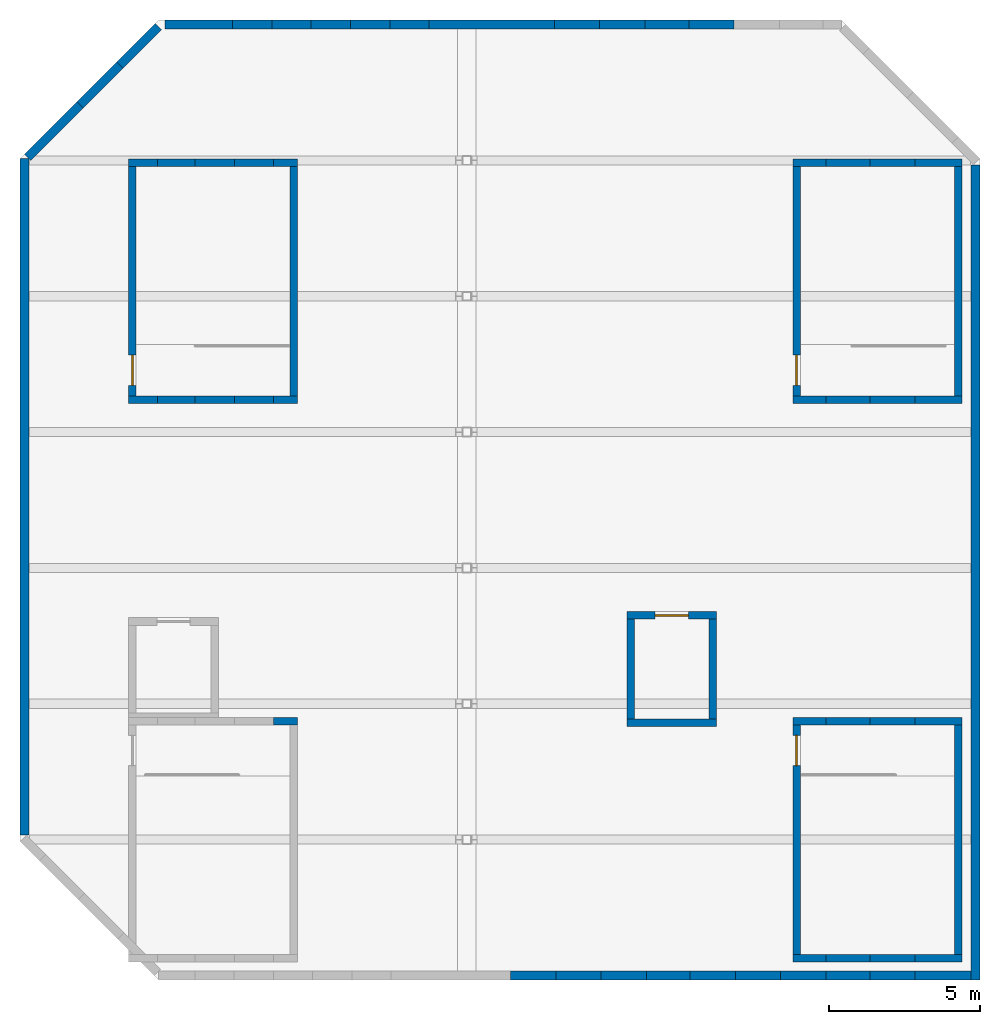
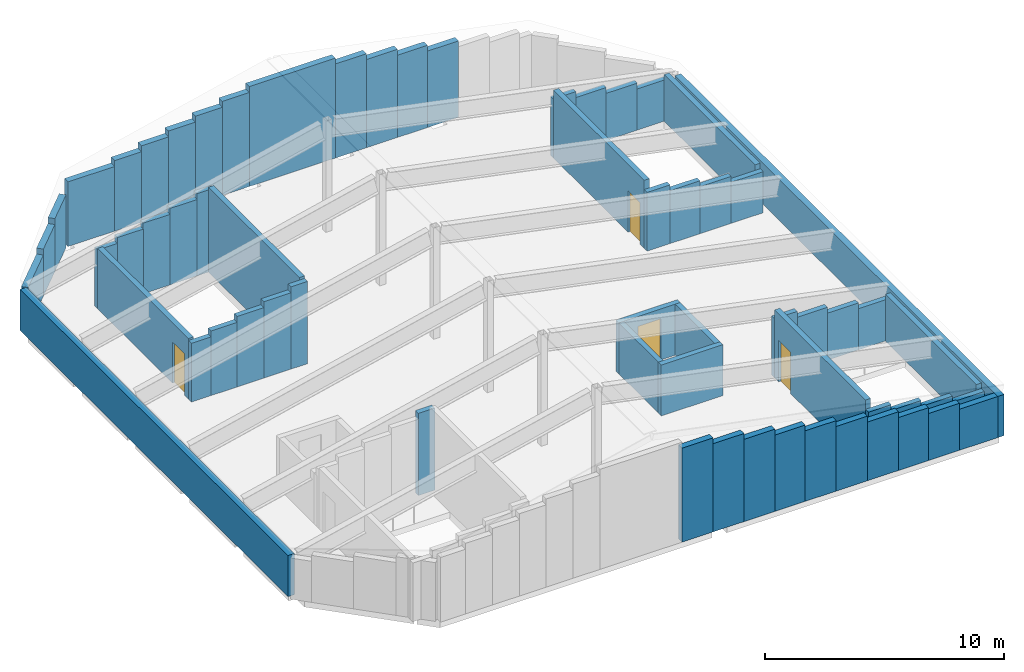
# One storey, part 2 of 4: 63 walls, 4 doors, 4 openings.
"""IFC4 building model written with IfcOpenShell, lengths in metres."""

from ifc_helpers import new_model, si_unit, direction, frame, frame_2d, origin, place, context, subcontext, project, spatial, rectangle, extrude, material, layer, layer_set, type_object, element, fill, save


model = new_model("IFC4")

# Units and contexts
model_context = context("Model", 3, precision=1e-05, world=origin(), true_north=direction((0.0, 1.0)))
body_context = subcontext(model_context, "Body", "Model", "MODEL_VIEW")
ifc_project = project(units=[si_unit("LENGTHUNIT", "METRE"), si_unit("AREAUNIT", "SQUARE_METRE"), si_unit("VOLUMEUNIT", "CUBIC_METRE"), si_unit("PLANEANGLEUNIT", "RADIAN"), si_unit("MASSUNIT", "GRAM", prefix="KILO")], contexts=[model_context])

# Site, building, storey
site_placement = place(None, origin())
site = spatial("IfcSite", under=ifc_project, at=site_placement, CompositionType="ELEMENT")
building_placement = place(site_placement, origin())
building = spatial("IfcBuilding", under=site, at=building_placement, Name="Corbel Stack Research Tower", CompositionType="ELEMENT")
storey_placement = place(building_placement, frame((0.0, 0.0, 329.800048828125)))
storey = spatial("IfcBuildingStorey", under=building, at=storey_placement, Name="RF", CompositionType="ELEMENT", Elevation=329.800048828125)

# Wall
ifc_material_1 = material(Name="Concrete C45/55", Category="concrete")
ifc_layer_1 = layer(ifc_material_1, 0.25)
ifc_layer_set_1 = layer_set([ifc_layer_1], Name="Concrete C45/55")
wall_type_1 = type_object("IfcWallType", Name="Lift housing wall 250 C45/55", PredefinedType="SOLIDWALL", material=ifc_layer_set_1)
wall_1_placement = place(storey_placement, frame((6.449951171875, -0.625, 0.0), z_axis=(0.0, 0.0, 1.0), x_axis=(1.0, 0.0, 0.0)))
element("IfcWall", 1, at=wall_1_placement, inside=storey, type_object=wall_type_1, Name="Lift FS2 housing wall S", PredefinedType="SOLIDWALL", context=body_context, shape_type="SweptSolid", body=[
    extrude(rectangle(XDim=2.97509765625, YDim=0.25, at=frame_2d((1.487548828125, 0.0))), origin(), (0.0, 0.0, 1.0), 2.599853515625),
])

# Wall, opening, door
wall_2_placement = place(storey_placement, frame((6.449951171875, 2.925048828125, 0.0), z_axis=(0.0, 0.0, 1.0), x_axis=(1.0, 0.0, 0.0)))
wall_2 = element("IfcWall", 2, at=wall_2_placement, inside=storey, type_object=wall_type_1, Name="Lift FS2 housing wall N", PredefinedType="SOLIDWALL", context=body_context, shape_type="SweptSolid", body=[
    extrude(rectangle(XDim=2.97509765625, YDim=0.25, at=frame_2d((1.487548828125, 0.0))), origin(), (0.0, 0.0, 1.0), 2.599853515625),
])
opening_1_placement = place(wall_2_placement, frame((0.9375, 0.0, 0.0)))
opening_1 = element("IfcOpeningElement", 3, at=opening_1_placement, cuts=wall_2, Name="Opening LD-FS2-RF", PredefinedType="OPENING", context=body_context, shape_type="SweptSolid", body=[
    extrude(rectangle(XDim=1.10009765625, YDim=2.10009765625, at=frame_2d((0.550048828125, 1.050048828125))), frame((0.0, 0.135009765625, 0.0), z_axis=(0.0, -1.0, 0.0), x_axis=(1.0, 0.0, 0.0)), (0.0, 0.0, 1.0), 0.27001953125),
])
ifc_material_2 = material(Name="Stainless steel landing door", Category="steel")
door_type_1 = type_object("IfcDoorType", Name="Lift landing door 1100 x 2100", OperationType="DOUBLE_DOOR_SLIDING", PredefinedType="DOOR", material=ifc_material_2)
door_1_placement = place(opening_1_placement, origin())
door_1 = element("IfcDoor", 4, at=door_1_placement, inside=storey, type_object=door_type_1, Name="Landing door FS2 RF", OperationType="DOUBLE_DOOR_SLIDING", OverallHeight=2.10009765625, OverallWidth=1.10009765625, PredefinedType="DOOR", context=body_context, shape_type="SweptSolid", body=[
    extrude(rectangle(XDim=1.10009765625, YDim=2.10009765625, at=frame_2d((0.550048828125, 1.050048828125))), frame((0.0, 0.02490234375, 0.0), z_axis=(0.0, -1.0, 0.0), x_axis=(1.0, 0.0, 0.0)), (0.0, 0.0, 1.0), 0.050048828125),
])
fill(opening_1, door_1)

# Walls
for number, where, z_axis, x_axis, name in (
    (5, (6.574951171875, -0.5, 0.0), (0.0, 0.0, 1.0), (0.0, 1.0, 0.0), "Lift FS2 housing wall W"),
    (6, (9.300048828125, -0.5, 0.0), (0.0, 0.0, 1.0), (0.0, 1.0, 0.0), "Lift FS2 housing wall E"),
):
    element("IfcWall", number, at=place(storey_placement, frame(where, z_axis=z_axis, x_axis=x_axis)), inside=storey, type_object=wall_type_1, Name=name, PredefinedType="SOLIDWALL", context=body_context, shape_type="SweptSolid", body=[
        extrude(rectangle(XDim=3.300048828125, YDim=0.25, at=frame_2d((1.64990234375, 0.0))), origin(), (0.0, 0.0, 1.0), 2.599853515625),
    ])
ifc_material_3 = material(Name="Concrete C45/55", Category="concrete")
ifc_layer_2 = layer(ifc_material_3, 0.300048828125)
ifc_layer_set_2 = layer_set([ifc_layer_2], Name="Concrete C45/55")
wall_type_2 = type_object("IfcWallType", Name="Precast crest wall 300 C45/55", PredefinedType="SOLIDWALL", material=ifc_layer_set_2)
wall_3_placement = place(storey_placement, frame((2.59716796875, -9.0, 0.0), z_axis=(0.0, 0.0, 1.0), x_axis=(1.0, 0.0, 0.0)))
element("IfcWall", 7, at=wall_3_placement, inside=storey, type_object=wall_type_2, Name="Crest wall 1 part 8", PredefinedType="SOLIDWALL", context=body_context, shape_type="SweptSolid", body=[
    extrude(rectangle(XDim=1.500244140625, YDim=0.300048828125, at=frame_2d((0.75, 0.0))), origin(), (0.0, 0.0, 1.0), 4.800048828125),
])
wall_4_placement = place(storey_placement, frame((4.097412109375, -9.0, 0.0), z_axis=(0.0, 0.0, 1.0), x_axis=(1.0, 0.0, 0.0)))
element("IfcWall", 8, at=wall_4_placement, inside=storey, type_object=wall_type_2, Name="Crest wall 1 part 9", PredefinedType="SOLIDWALL", context=body_context, shape_type="SweptSolid", body=[
    extrude(rectangle(XDim=1.500244140625, YDim=0.300048828125, at=frame_2d((0.75, 0.0))), origin(), (0.0, 0.0, 1.0), 4.5),
])
wall_5_placement = place(storey_placement, frame((5.59765625, -9.0, 0.0), z_axis=(0.0, 0.0, 1.0), x_axis=(1.0, 0.0, 0.0)))
element("IfcWall", 9, at=wall_5_placement, inside=storey, type_object=wall_type_2, Name="Crest wall 1 part 10", PredefinedType="SOLIDWALL", context=body_context, shape_type="SweptSolid", body=[
    extrude(rectangle(XDim=1.500244140625, YDim=0.300048828125, at=frame_2d((0.75, 0.0))), origin(), (0.0, 0.0, 1.0), 4.199951171875),
])
wall_6_placement = place(storey_placement, frame((7.097900390625, -9.0, 0.0), z_axis=(0.0, 0.0, 1.0), x_axis=(1.0, 0.0, 0.0)))
element("IfcWall", 10, at=wall_6_placement, inside=storey, type_object=wall_type_2, Name="Crest wall 1 part 11", PredefinedType="SOLIDWALL", context=body_context, shape_type="SweptSolid", body=[
    extrude(rectangle(XDim=1.450439453125, YDim=0.300048828125, at=frame_2d((0.72509765625, 0.0))), origin(), (0.0, 0.0, 1.0), 3.89990234375),
])
wall_7_placement = place(storey_placement, frame((8.54833984375, -9.0, 0.0), z_axis=(0.0, 0.0, 1.0), x_axis=(1.0, 0.0, 0.0)))
element("IfcWall", 11, at=wall_7_placement, inside=storey, type_object=wall_type_2, Name="Crest wall 1 part 12", PredefinedType="SOLIDWALL", context=body_context, shape_type="SweptSolid", body=[
    extrude(rectangle(XDim=1.500244140625, YDim=0.300048828125, at=frame_2d((0.75, 0.0))), origin(), (0.0, 0.0, 1.0), 3.599853515625),
])
wall_8_placement = place(storey_placement, frame((10.048583984375, -9.0, 0.0), z_axis=(0.0, 0.0, 1.0), x_axis=(1.0, 0.0, 0.0)))
element("IfcWall", 12, at=wall_8_placement, inside=storey, type_object=wall_type_2, Name="Crest wall 1 part 13", PredefinedType="SOLIDWALL", context=body_context, shape_type="SweptSolid", body=[
    extrude(rectangle(XDim=1.500244140625, YDim=0.300048828125, at=frame_2d((0.75, 0.0))), origin(), (0.0, 0.0, 1.0), 3.300048828125),
])
wall_9_placement = place(storey_placement, frame((11.548828125, -9.0, 0.0), z_axis=(0.0, 0.0, 1.0), x_axis=(1.0, 0.0, 0.0)))
element("IfcWall", 13, at=wall_9_placement, inside=storey, type_object=wall_type_2, Name="Crest wall 1 part 14", PredefinedType="SOLIDWALL", context=body_context, shape_type="SweptSolid", body=[
    extrude(rectangle(XDim=1.500244140625, YDim=0.300048828125, at=frame_2d((0.75, 0.0))), origin(), (0.0, 0.0, 1.0), 3.0),
])
wall_10_placement = place(storey_placement, frame((13.049072265625, -9.0, 0.0), z_axis=(0.0, 0.0, 1.0), x_axis=(1.0, 0.0, 0.0)))
element("IfcWall", 14, at=wall_10_placement, inside=storey, type_object=wall_type_2, Name="Crest wall 1 part 15", PredefinedType="SOLIDWALL", context=body_context, shape_type="SweptSolid", body=[
    extrude(rectangle(XDim=1.450439453125, YDim=0.300048828125, at=frame_2d((0.72509765625, 0.0))), origin(), (0.0, 0.0, 1.0), 2.699951171875),
])
wall_11_placement = place(storey_placement, frame((14.49951171875, -9.0, 0.0), z_axis=(0.0, 0.0, 1.0), x_axis=(1.0, 0.0, 0.0)))
element("IfcWall", 15, at=wall_11_placement, inside=storey, type_object=wall_type_2, Name="Crest wall 1 part 16", PredefinedType="SOLIDWALL", context=body_context, shape_type="SweptSolid", body=[
    extrude(rectangle(XDim=1.500244140625, YDim=0.300048828125, at=frame_2d((0.75, 0.0))), origin(), (0.0, 0.0, 1.0), 2.39990234375),
])
wall_12_placement = place(storey_placement, frame((15.999755859375, -9.0, 0.0), z_axis=(0.0, 0.0, 1.0), x_axis=(1.0, 0.0, 0.0)))
element("IfcWall", 16, at=wall_12_placement, inside=storey, type_object=wall_type_2, Name="Crest wall 1 part 17", PredefinedType="SOLIDWALL", context=body_context, shape_type="SweptSolid", body=[
    extrude(rectangle(XDim=1.850341796875, YDim=0.300048828125, at=frame_2d((0.92529296875, 0.0))), origin(), (0.0, 0.0, 1.0), 2.099853515625),
])
wall_13_placement = place(storey_placement, frame((18.0, -9.14990234375, 0.0), z_axis=(0.0, 0.0, 1.0), x_axis=(0.0, 1.0, 0.0)))
element("IfcWall", 17, at=wall_13_placement, inside=storey, type_object=wall_type_2, Name="Crest wall 2", PredefinedType="SOLIDWALL", context=body_context, shape_type="SweptSolid", body=[
    extrude(rectangle(XDim=27.0048828125, YDim=0.300048828125, at=frame_2d((13.50244140625, 0.0))), origin(), (0.0, 0.0, 1.0), 2.099853515625),
])
wall_14_placement = place(storey_placement, frame((10.00341796875, 22.5, 0.0), z_axis=(0.0, 0.0, 1.0), x_axis=(-1.0, 0.0, 0.0)))
element("IfcWall", 18, at=wall_14_placement, inside=storey, type_object=wall_type_2, Name="Crest wall 4 part 4", PredefinedType="SOLIDWALL", context=body_context, shape_type="SweptSolid", body=[
    extrude(rectangle(XDim=1.500732421875, YDim=0.300048828125, at=frame_2d((0.75048828125, 0.0))), origin(), (0.0, 0.0, 1.0), 3.89990234375),
])
wall_15_placement = place(storey_placement, frame((8.502685546875, 22.5, 0.0), z_axis=(0.0, 0.0, 1.0), x_axis=(-1.0, 0.0, 0.0)))
element("IfcWall", 19, at=wall_15_placement, inside=storey, type_object=wall_type_2, Name="Crest wall 4 part 5", PredefinedType="SOLIDWALL", context=body_context, shape_type="SweptSolid", body=[
    extrude(rectangle(XDim=1.45068359375, YDim=0.300048828125, at=frame_2d((0.725341796875, 0.0))), origin(), (0.0, 0.0, 1.0), 4.199951171875),
])
wall_16_placement = place(storey_placement, frame((7.052001953125, 22.5, 0.0), z_axis=(0.0, 0.0, 1.0), x_axis=(-1.0, 0.0, 0.0)))
element("IfcWall", 20, at=wall_16_placement, inside=storey, type_object=wall_type_2, Name="Crest wall 4 part 6", PredefinedType="SOLIDWALL", context=body_context, shape_type="SweptSolid", body=[
    extrude(rectangle(XDim=1.50048828125, YDim=0.300048828125, at=frame_2d((0.750244140625, 0.0))), origin(), (0.0, 0.0, 1.0), 4.5),
])
wall_17_placement = place(storey_placement, frame((5.551513671875, 22.5, 0.0), z_axis=(0.0, 0.0, 1.0), x_axis=(-1.0, 0.0, 0.0)))
element("IfcWall", 21, at=wall_17_placement, inside=storey, type_object=wall_type_2, Name="Crest wall 4 part 7", PredefinedType="SOLIDWALL", context=body_context, shape_type="SweptSolid", body=[
    extrude(rectangle(XDim=1.500732421875, YDim=0.300048828125, at=frame_2d((0.75048828125, 0.0))), origin(), (0.0, 0.0, 1.0), 4.800048828125),
])
wall_18_placement = place(storey_placement, frame((4.05078125, 22.5, 0.0), z_axis=(0.0, 0.0, 1.0), x_axis=(-1.0, 0.0, 0.0)))
element("IfcWall", 22, at=wall_18_placement, inside=storey, type_object=wall_type_2, Name="Crest wall 4 part 8", PredefinedType="SOLIDWALL", context=body_context, shape_type="SweptSolid", body=[
    extrude(rectangle(XDim=4.15185546875, YDim=0.300048828125, at=frame_2d((2.075927734375, 0.0))), origin(), (0.0, 0.0, 1.0), 5.099853515625),
])
wall_19_placement = place(storey_placement, frame((-0.10107421875, 22.5, 0.0), z_axis=(0.0, 0.0, 1.0), x_axis=(-1.0, 0.0, 0.0)))
element("IfcWall", 23, at=wall_19_placement, inside=storey, type_object=wall_type_2, Name="Crest wall 4 part 9", PredefinedType="SOLIDWALL", context=body_context, shape_type="SweptSolid", body=[
    extrude(rectangle(XDim=1.300537109375, YDim=0.300048828125, at=frame_2d((0.650390625, 0.0))), origin(), (0.0, 0.0, 1.0), 4.800048828125),
])
wall_20_placement = place(storey_placement, frame((-1.401611328125, 22.5, 0.0), z_axis=(0.0, 0.0, 1.0), x_axis=(-1.0, 0.0, 0.0)))
element("IfcWall", 24, at=wall_20_placement, inside=storey, type_object=wall_type_2, Name="Crest wall 4 part 10", PredefinedType="SOLIDWALL", context=body_context, shape_type="SweptSolid", body=[
    extrude(rectangle(XDim=1.30078125, YDim=0.300048828125, at=frame_2d((0.650390625, 0.0))), origin(), (0.0, 0.0, 1.0), 4.5),
])
wall_21_placement = place(storey_placement, frame((-2.702392578125, 22.5, 0.0), z_axis=(0.0, 0.0, 1.0), x_axis=(-1.0, 0.0, 0.0)))
element("IfcWall", 25, at=wall_21_placement, inside=storey, type_object=wall_type_2, Name="Crest wall 4 part 11", PredefinedType="SOLIDWALL", context=body_context, shape_type="SweptSolid", body=[
    extrude(rectangle(XDim=1.30029296875, YDim=0.300048828125, at=frame_2d((0.650146484375, 0.0))), origin(), (0.0, 0.0, 1.0), 4.199951171875),
])
wall_22_placement = place(storey_placement, frame((-4.002685546875, 22.5, 0.0), z_axis=(0.0, 0.0, 1.0), x_axis=(-1.0, 0.0, 0.0)))
element("IfcWall", 26, at=wall_22_placement, inside=storey, type_object=wall_type_2, Name="Crest wall 4 part 12", PredefinedType="SOLIDWALL", context=body_context, shape_type="SweptSolid", body=[
    extrude(rectangle(XDim=1.30078125, YDim=0.300048828125, at=frame_2d((0.650390625, 0.0))), origin(), (0.0, 0.0, 1.0), 3.89990234375),
])
wall_23_placement = place(storey_placement, frame((-5.303466796875, 22.5, 0.0), z_axis=(0.0, 0.0, 1.0), x_axis=(-1.0, 0.0, 0.0)))
element("IfcWall", 27, at=wall_23_placement, inside=storey, type_object=wall_type_2, Name="Crest wall 4 part 13", PredefinedType="SOLIDWALL", context=body_context, shape_type="SweptSolid", body=[
    extrude(rectangle(XDim=1.300537109375, YDim=0.300048828125, at=frame_2d((0.650390625, 0.0))), origin(), (0.0, 0.0, 1.0), 3.599853515625),
])
wall_24_placement = place(storey_placement, frame((-6.60400390625, 22.5, 0.0), z_axis=(0.0, 0.0, 1.0), x_axis=(-1.0, 0.0, 0.0)))
element("IfcWall", 28, at=wall_24_placement, inside=storey, type_object=wall_type_2, Name="Crest wall 4 part 14", PredefinedType="SOLIDWALL", context=body_context, shape_type="SweptSolid", body=[
    extrude(rectangle(XDim=2.2509765625, YDim=0.300048828125, at=frame_2d((1.12548828125, 0.0))), origin(), (0.0, 0.0, 1.0), 3.300048828125),
])
wall_25_placement = place(storey_placement, frame((-9.067626953125, 22.432373046875, 0.0), z_axis=(0.0, 0.0, 1.0), x_axis=(-0.707106781187, -0.707106781187, 0.0)))
element("IfcWall", 29, at=wall_25_placement, inside=storey, type_object=wall_type_2, Name="Crest wall 5 part 2", PredefinedType="SOLIDWALL", context=body_context, shape_type="SweptSolid", body=[
    extrude(rectangle(XDim=1.806884765625, YDim=0.300048828125, at=frame_2d((0.9033203125, 0.0))), origin(), (0.0, 0.0, 1.0), 2.699951171875),
])
wall_26_placement = place(storey_placement, frame((-10.34521484375, 21.15478515625, 0.0), z_axis=(0.0, 0.0, 1.0), x_axis=(-0.707106781187, -0.707106781187, 0.0)))
element("IfcWall", 30, at=wall_26_placement, inside=storey, type_object=wall_type_2, Name="Crest wall 5 part 3", PredefinedType="SOLIDWALL", context=body_context, shape_type="SweptSolid", body=[
    extrude(rectangle(XDim=1.857177734375, YDim=0.300048828125, at=frame_2d((0.9287109375, 0.0))), origin(), (0.0, 0.0, 1.0), 2.39990234375),
])
wall_27_placement = place(storey_placement, frame((-11.658447265625, 19.841552734375, 0.0), z_axis=(0.0, 0.0, 1.0), x_axis=(-0.707106781187, -0.707106781187, 0.0)))
element("IfcWall", 31, at=wall_27_placement, inside=storey, type_object=wall_type_2, Name="Crest wall 5 part 4", PredefinedType="SOLIDWALL", context=body_context, shape_type="SweptSolid", body=[
    extrude(rectangle(XDim=2.459228515625, YDim=0.300048828125, at=frame_2d((1.2294921875, 0.0))), origin(), (0.0, 0.0, 1.0), 2.099853515625),
])
wall_28_placement = place(storey_placement, frame((-13.5, 18.054931640625, 0.0), z_axis=(0.0, 0.0, 1.0), x_axis=(0.0, -1.0, 0.0)))
element("IfcWall", 32, at=wall_28_placement, inside=storey, type_object=wall_type_2, Name="Crest wall 6", PredefinedType="SOLIDWALL", context=body_context, shape_type="SweptSolid", body=[
    extrude(rectangle(XDim=22.409912109375, YDim=0.300048828125, at=frame_2d((11.205078125, 0.0))), origin(), (0.0, 0.0, 1.0), 2.099853515625),
])
ifc_material_4 = material(Name="Concrete C45/55", Category="concrete")
ifc_layer_3 = layer(ifc_material_4, 0.25)
ifc_layer_set_3 = layer_set([ifc_layer_3], Name="Concrete C45/55")
wall_type_3 = type_object("IfcWallType", Name="Stair head-house wall 250 C45/55", PredefinedType="SOLIDWALL", material=ifc_layer_set_3)
wall_29_placement = place(storey_placement, frame((-5.25, -0.574951171875, 0.0), z_axis=(0.0, 0.0, 1.0), x_axis=(1.0, 0.0, 0.0)))
element("IfcWall", 33, at=wall_29_placement, inside=storey, type_object=wall_type_3, Name="Stair head-house wall ST-W1 N part 5", PredefinedType="SOLIDWALL", context=body_context, shape_type="SweptSolid", body=[
    extrude(rectangle(XDim=0.800048828125, YDim=0.25, at=frame_2d((0.39990234375, 0.0))), origin(), (0.0, 0.0, 1.0), 4.199951171875),
])
wall_30_placement = place(storey_placement, frame((-10.050048828125, 10.074951171875, 0.0), z_axis=(0.0, 0.0, 1.0), x_axis=(1.0, 0.0, 0.0)))
element("IfcWall", 34, at=wall_30_placement, inside=storey, type_object=wall_type_3, Name="Stair head-house wall ST-W2 S part 1", PredefinedType="SOLIDWALL", context=body_context, shape_type="SweptSolid", body=[
    extrude(rectangle(XDim=0.949951171875, YDim=0.25, at=frame_2d((0.47509765625, 0.0))), origin(), (0.0, 0.0, 1.0), 3.0),
])
wall_31_placement = place(storey_placement, frame((-9.10009765625, 10.074951171875, 0.0), z_axis=(0.0, 0.0, 1.0), x_axis=(1.0, 0.0, 0.0)))
element("IfcWall", 35, at=wall_31_placement, inside=storey, type_object=wall_type_3, Name="Stair head-house wall ST-W2 S part 2", PredefinedType="SOLIDWALL", context=body_context, shape_type="SweptSolid", body=[
    extrude(rectangle(XDim=1.25, YDim=0.25, at=frame_2d((0.625, 0.0))), origin(), (0.0, 0.0, 1.0), 3.300048828125),
])
wall_32_placement = place(storey_placement, frame((-7.85009765625, 10.074951171875, 0.0), z_axis=(0.0, 0.0, 1.0), x_axis=(1.0, 0.0, 0.0)))
element("IfcWall", 36, at=wall_32_placement, inside=storey, type_object=wall_type_3, Name="Stair head-house wall ST-W2 S part 3", PredefinedType="SOLIDWALL", context=body_context, shape_type="SweptSolid", body=[
    extrude(rectangle(XDim=1.300048828125, YDim=0.25, at=frame_2d((0.64990234375, 0.0))), origin(), (0.0, 0.0, 1.0), 3.599853515625),
])
wall_33_placement = place(storey_placement, frame((-6.550048828125, 10.074951171875, 0.0), z_axis=(0.0, 0.0, 1.0), x_axis=(1.0, 0.0, 0.0)))
element("IfcWall", 37, at=wall_33_placement, inside=storey, type_object=wall_type_3, Name="Stair head-house wall ST-W2 S part 4", PredefinedType="SOLIDWALL", context=body_context, shape_type="SweptSolid", body=[
    extrude(rectangle(XDim=1.300048828125, YDim=0.25, at=frame_2d((0.64990234375, 0.0))), origin(), (0.0, 0.0, 1.0), 3.89990234375),
])
wall_34_placement = place(storey_placement, frame((-5.25, 10.074951171875, 0.0), z_axis=(0.0, 0.0, 1.0), x_axis=(1.0, 0.0, 0.0)))
element("IfcWall", 38, at=wall_34_placement, inside=storey, type_object=wall_type_3, Name="Stair head-house wall ST-W2 S part 5", PredefinedType="SOLIDWALL", context=body_context, shape_type="SweptSolid", body=[
    extrude(rectangle(XDim=0.800048828125, YDim=0.25, at=frame_2d((0.39990234375, 0.0))), origin(), (0.0, 0.0, 1.0), 4.199951171875),
])
wall_35_placement = place(storey_placement, frame((-10.050048828125, 17.925048828125, 0.0), z_axis=(0.0, 0.0, 1.0), x_axis=(1.0, 0.0, 0.0)))
element("IfcWall", 39, at=wall_35_placement, inside=storey, type_object=wall_type_3, Name="Stair head-house wall ST-W2 N part 1", PredefinedType="SOLIDWALL", context=body_context, shape_type="SweptSolid", body=[
    extrude(rectangle(XDim=0.949951171875, YDim=0.25, at=frame_2d((0.47509765625, 0.0))), origin(), (0.0, 0.0, 1.0), 3.0),
])
wall_36_placement = place(storey_placement, frame((-9.10009765625, 17.925048828125, 0.0), z_axis=(0.0, 0.0, 1.0), x_axis=(1.0, 0.0, 0.0)))
element("IfcWall", 40, at=wall_36_placement, inside=storey, type_object=wall_type_3, Name="Stair head-house wall ST-W2 N part 2", PredefinedType="SOLIDWALL", context=body_context, shape_type="SweptSolid", body=[
    extrude(rectangle(XDim=1.25, YDim=0.25, at=frame_2d((0.625, 0.0))), origin(), (0.0, 0.0, 1.0), 3.300048828125),
])
wall_37_placement = place(storey_placement, frame((-7.85009765625, 17.925048828125, 0.0), z_axis=(0.0, 0.0, 1.0), x_axis=(1.0, 0.0, 0.0)))
element("IfcWall", 41, at=wall_37_placement, inside=storey, type_object=wall_type_3, Name="Stair head-house wall ST-W2 N part 3", PredefinedType="SOLIDWALL", context=body_context, shape_type="SweptSolid", body=[
    extrude(rectangle(XDim=1.300048828125, YDim=0.25, at=frame_2d((0.64990234375, 0.0))), origin(), (0.0, 0.0, 1.0), 3.599853515625),
])
wall_38_placement = place(storey_placement, frame((-6.550048828125, 17.925048828125, 0.0), z_axis=(0.0, 0.0, 1.0), x_axis=(1.0, 0.0, 0.0)))
element("IfcWall", 42, at=wall_38_placement, inside=storey, type_object=wall_type_3, Name="Stair head-house wall ST-W2 N part 4", PredefinedType="SOLIDWALL", context=body_context, shape_type="SweptSolid", body=[
    extrude(rectangle(XDim=1.300048828125, YDim=0.25, at=frame_2d((0.64990234375, 0.0))), origin(), (0.0, 0.0, 1.0), 3.89990234375),
])
wall_39_placement = place(storey_placement, frame((-5.25, 17.925048828125, 0.0), z_axis=(0.0, 0.0, 1.0), x_axis=(1.0, 0.0, 0.0)))
element("IfcWall", 43, at=wall_39_placement, inside=storey, type_object=wall_type_3, Name="Stair head-house wall ST-W2 N part 5", PredefinedType="SOLIDWALL", context=body_context, shape_type="SweptSolid", body=[
    extrude(rectangle(XDim=0.800048828125, YDim=0.25, at=frame_2d((0.39990234375, 0.0))), origin(), (0.0, 0.0, 1.0), 4.199951171875),
])

# Wall, opening, door
wall_40_placement = place(storey_placement, frame((-9.925048828125, 10.199951171875, 0.0), z_axis=(0.0, 0.0, 1.0), x_axis=(0.0, 1.0, 0.0)))
wall_40 = element("IfcWall", 44, at=wall_40_placement, inside=storey, type_object=wall_type_3, Name="Stair head-house wall ST-W2 W", PredefinedType="SOLIDWALL", context=body_context, shape_type="SweptSolid", body=[
    extrude(rectangle(XDim=7.60009765625, YDim=0.25, at=frame_2d((3.800048828125, 0.0))), origin(), (0.0, 0.0, 1.0), 3.090576171875),
])
opening_2_placement = place(wall_40_placement, frame((0.35009765625, 0.0, 0.0)))
opening_2 = element("IfcOpeningElement", 45, at=opening_2_placement, cuts=wall_40, Name="Opening DW2-R", PredefinedType="OPENING", context=body_context, shape_type="SweptSolid", body=[
    extrude(rectangle(XDim=1.0, YDim=2.10009765625, at=frame_2d((0.5, 1.050048828125))), frame((0.0, 0.135009765625, 0.0), z_axis=(0.0, -1.0, 0.0), x_axis=(1.0, 0.0, 0.0)), (0.0, 0.0, 1.0), 0.27001953125),
])
ifc_material_5 = material(Name="Steel, painted", Category="steel")
door_type_2 = type_object("IfcDoorType", Name="Steel door 1000 x 2100 FD120", OperationType="SINGLE_SWING_LEFT", PredefinedType="DOOR", material=ifc_material_5)
door_2_placement = place(opening_2_placement, origin())
door_2 = element("IfcDoor", 46, at=door_2_placement, inside=storey, type_object=door_type_2, Name="Stair ST-W2 roof level door", OperationType="SINGLE_SWING_LEFT", OverallHeight=2.10009765625, OverallWidth=1.0, PredefinedType="DOOR", context=body_context, shape_type="SweptSolid", body=[
    extrude(rectangle(XDim=1.0, YDim=2.10009765625, at=frame_2d((0.5, 1.050048828125))), frame((0.0, 0.02490234375, 0.0), z_axis=(0.0, -1.0, 0.0), x_axis=(1.0, 0.0, 0.0)), (0.0, 0.0, 1.0), 0.050048828125),
])
fill(opening_2, door_2)

# Walls
wall_41_placement = place(storey_placement, frame((-4.574951171875, 10.199951171875, 0.0), z_axis=(0.0, 0.0, 1.0), x_axis=(0.0, 1.0, 0.0)))
element("IfcWall", 47, at=wall_41_placement, inside=storey, type_object=wall_type_3, Name="Stair head-house wall ST-W2 E", PredefinedType="SOLIDWALL", context=body_context, shape_type="SweptSolid", body=[
    extrude(rectangle(XDim=7.60009765625, YDim=0.25, at=frame_2d((3.800048828125, 0.0))), origin(), (0.0, 0.0, 1.0), 4.332275390625),
])
wall_42_placement = place(storey_placement, frame((11.949951171875, -8.425048828125, 0.0), z_axis=(0.0, 0.0, 1.0), x_axis=(1.0, 0.0, 0.0)))
element("IfcWall", 48, at=wall_42_placement, inside=storey, type_object=wall_type_3, Name="Stair head-house wall ST-E1 S part 1", PredefinedType="SOLIDWALL", context=body_context, shape_type="SweptSolid", body=[
    extrude(rectangle(XDim=1.10009765625, YDim=0.25, at=frame_2d((0.550048828125, 0.0))), origin(), (0.0, 0.0, 1.0), 3.0),
])
wall_43_placement = place(storey_placement, frame((13.050048828125, -8.425048828125, 0.0), z_axis=(0.0, 0.0, 1.0), x_axis=(1.0, 0.0, 0.0)))
element("IfcWall", 49, at=wall_43_placement, inside=storey, type_object=wall_type_3, Name="Stair head-house wall ST-E1 S part 2", PredefinedType="SOLIDWALL", context=body_context, shape_type="SweptSolid", body=[
    extrude(rectangle(XDim=1.449951171875, YDim=0.25, at=frame_2d((0.72509765625, 0.0))), origin(), (0.0, 0.0, 1.0), 2.699951171875),
])
wall_44_placement = place(storey_placement, frame((14.5, -8.425048828125, 0.0), z_axis=(0.0, 0.0, 1.0), x_axis=(1.0, 0.0, 0.0)))
element("IfcWall", 50, at=wall_44_placement, inside=storey, type_object=wall_type_3, Name="Stair head-house wall ST-E1 S part 3", PredefinedType="SOLIDWALL", context=body_context, shape_type="SweptSolid", body=[
    extrude(rectangle(XDim=1.5, YDim=0.25, at=frame_2d((0.75, 0.0))), origin(), (0.0, 0.0, 1.0), 2.39990234375),
])
wall_45_placement = place(storey_placement, frame((16.0, -8.425048828125, 0.0), z_axis=(0.0, 0.0, 1.0), x_axis=(1.0, 0.0, 0.0)))
element("IfcWall", 51, at=wall_45_placement, inside=storey, type_object=wall_type_3, Name="Stair head-house wall ST-E1 S part 4", PredefinedType="SOLIDWALL", context=body_context, shape_type="SweptSolid", body=[
    extrude(rectangle(XDim=1.550048828125, YDim=0.25, at=frame_2d((0.77490234375, 0.0))), origin(), (0.0, 0.0, 1.0), 2.099853515625),
])
wall_46_placement = place(storey_placement, frame((11.949951171875, -0.574951171875, 0.0), z_axis=(0.0, 0.0, 1.0), x_axis=(1.0, 0.0, 0.0)))
element("IfcWall", 52, at=wall_46_placement, inside=storey, type_object=wall_type_3, Name="Stair head-house wall ST-E1 N part 1", PredefinedType="SOLIDWALL", context=body_context, shape_type="SweptSolid", body=[
    extrude(rectangle(XDim=1.10009765625, YDim=0.25, at=frame_2d((0.550048828125, 0.0))), origin(), (0.0, 0.0, 1.0), 3.0),
])
wall_47_placement = place(storey_placement, frame((13.050048828125, -0.574951171875, 0.0), z_axis=(0.0, 0.0, 1.0), x_axis=(1.0, 0.0, 0.0)))
element("IfcWall", 53, at=wall_47_placement, inside=storey, type_object=wall_type_3, Name="Stair head-house wall ST-E1 N part 2", PredefinedType="SOLIDWALL", context=body_context, shape_type="SweptSolid", body=[
    extrude(rectangle(XDim=1.449951171875, YDim=0.25, at=frame_2d((0.72509765625, 0.0))), origin(), (0.0, 0.0, 1.0), 2.699951171875),
])
wall_48_placement = place(storey_placement, frame((14.5, -0.574951171875, 0.0), z_axis=(0.0, 0.0, 1.0), x_axis=(1.0, 0.0, 0.0)))
element("IfcWall", 54, at=wall_48_placement, inside=storey, type_object=wall_type_3, Name="Stair head-house wall ST-E1 N part 3", PredefinedType="SOLIDWALL", context=body_context, shape_type="SweptSolid", body=[
    extrude(rectangle(XDim=1.5, YDim=0.25, at=frame_2d((0.75, 0.0))), origin(), (0.0, 0.0, 1.0), 2.39990234375),
])
wall_49_placement = place(storey_placement, frame((16.0, -0.574951171875, 0.0), z_axis=(0.0, 0.0, 1.0), x_axis=(1.0, 0.0, 0.0)))
element("IfcWall", 55, at=wall_49_placement, inside=storey, type_object=wall_type_3, Name="Stair head-house wall ST-E1 N part 4", PredefinedType="SOLIDWALL", context=body_context, shape_type="SweptSolid", body=[
    extrude(rectangle(XDim=1.550048828125, YDim=0.25, at=frame_2d((0.77490234375, 0.0))), origin(), (0.0, 0.0, 1.0), 2.099853515625),
])

# Wall, opening, door
wall_50_placement = place(storey_placement, frame((12.074951171875, -8.300048828125, 0.0), z_axis=(0.0, 0.0, 1.0), x_axis=(0.0, 1.0, 0.0)))
wall_50 = element("IfcWall", 56, at=wall_50_placement, inside=storey, type_object=wall_type_3, Name="Stair head-house wall ST-E1 W", PredefinedType="SOLIDWALL", context=body_context, shape_type="SweptSolid", body=[
    extrude(rectangle(XDim=7.60009765625, YDim=0.25, at=frame_2d((3.800048828125, 0.0))), origin(), (0.0, 0.0, 1.0), 3.462158203125),
])
opening_3_placement = place(wall_50_placement, frame((6.25, 0.0, 0.0)))
opening_3 = element("IfcOpeningElement", 57, at=opening_3_placement, cuts=wall_50, Name="Opening DE1-R", PredefinedType="OPENING", context=body_context, shape_type="SweptSolid", body=[
    extrude(rectangle(XDim=1.0, YDim=2.10009765625, at=frame_2d((0.5, 1.050048828125))), frame((0.0, 0.135009765625, 0.0), z_axis=(0.0, -1.0, 0.0), x_axis=(1.0, 0.0, 0.0)), (0.0, 0.0, 1.0), 0.27001953125),
])
door_3_placement = place(opening_3_placement, origin())
door_3 = element("IfcDoor", 58, at=door_3_placement, inside=storey, type_object=door_type_2, Name="Stair ST-E1 roof level door", OperationType="SINGLE_SWING_LEFT", OverallHeight=2.10009765625, OverallWidth=1.0, PredefinedType="DOOR", context=body_context, shape_type="SweptSolid", body=[
    extrude(rectangle(XDim=1.0, YDim=2.10009765625, at=frame_2d((0.5, 1.050048828125))), frame((0.0, 0.02490234375, 0.0), z_axis=(0.0, -1.0, 0.0), x_axis=(1.0, 0.0, 0.0)), (0.0, 0.0, 1.0), 0.050048828125),
])
fill(opening_3, door_3)

# Walls
wall_51_placement = place(storey_placement, frame((17.425048828125, -8.300048828125, 0.0), z_axis=(0.0, 0.0, 1.0), x_axis=(0.0, 1.0, 0.0)))
element("IfcWall", 59, at=wall_51_placement, inside=storey, type_object=wall_type_3, Name="Stair head-house wall ST-E1 E", PredefinedType="SOLIDWALL", context=body_context, shape_type="SweptSolid", body=[
    extrude(rectangle(XDim=7.60009765625, YDim=0.25, at=frame_2d((3.800048828125, 0.0))), origin(), (0.0, 0.0, 1.0), 2.3828125),
])
wall_52_placement = place(storey_placement, frame((11.949951171875, 10.074951171875, 0.0), z_axis=(0.0, 0.0, 1.0), x_axis=(1.0, 0.0, 0.0)))
element("IfcWall", 60, at=wall_52_placement, inside=storey, type_object=wall_type_3, Name="Stair head-house wall ST-E2 S part 1", PredefinedType="SOLIDWALL", context=body_context, shape_type="SweptSolid", body=[
    extrude(rectangle(XDim=1.10009765625, YDim=0.25, at=frame_2d((0.550048828125, 0.0))), origin(), (0.0, 0.0, 1.0), 3.0),
])
wall_53_placement = place(storey_placement, frame((13.050048828125, 10.074951171875, 0.0), z_axis=(0.0, 0.0, 1.0), x_axis=(1.0, 0.0, 0.0)))
element("IfcWall", 61, at=wall_53_placement, inside=storey, type_object=wall_type_3, Name="Stair head-house wall ST-E2 S part 2", PredefinedType="SOLIDWALL", context=body_context, shape_type="SweptSolid", body=[
    extrude(rectangle(XDim=1.449951171875, YDim=0.25, at=frame_2d((0.72509765625, 0.0))), origin(), (0.0, 0.0, 1.0), 2.699951171875),
])
wall_54_placement = place(storey_placement, frame((14.5, 10.074951171875, 0.0), z_axis=(0.0, 0.0, 1.0), x_axis=(1.0, 0.0, 0.0)))
element("IfcWall", 62, at=wall_54_placement, inside=storey, type_object=wall_type_3, Name="Stair head-house wall ST-E2 S part 3", PredefinedType="SOLIDWALL", context=body_context, shape_type="SweptSolid", body=[
    extrude(rectangle(XDim=1.5, YDim=0.25, at=frame_2d((0.75, 0.0))), origin(), (0.0, 0.0, 1.0), 2.39990234375),
])
wall_55_placement = place(storey_placement, frame((16.0, 10.074951171875, 0.0), z_axis=(0.0, 0.0, 1.0), x_axis=(1.0, 0.0, 0.0)))
element("IfcWall", 63, at=wall_55_placement, inside=storey, type_object=wall_type_3, Name="Stair head-house wall ST-E2 S part 4", PredefinedType="SOLIDWALL", context=body_context, shape_type="SweptSolid", body=[
    extrude(rectangle(XDim=1.550048828125, YDim=0.25, at=frame_2d((0.77490234375, 0.0))), origin(), (0.0, 0.0, 1.0), 2.099853515625),
])
wall_56_placement = place(storey_placement, frame((11.949951171875, 17.925048828125, 0.0), z_axis=(0.0, 0.0, 1.0), x_axis=(1.0, 0.0, 0.0)))
element("IfcWall", 64, at=wall_56_placement, inside=storey, type_object=wall_type_3, Name="Stair head-house wall ST-E2 N part 1", PredefinedType="SOLIDWALL", context=body_context, shape_type="SweptSolid", body=[
    extrude(rectangle(XDim=1.10009765625, YDim=0.25, at=frame_2d((0.550048828125, 0.0))), origin(), (0.0, 0.0, 1.0), 3.0),
])
wall_57_placement = place(storey_placement, frame((13.050048828125, 17.925048828125, 0.0), z_axis=(0.0, 0.0, 1.0), x_axis=(1.0, 0.0, 0.0)))
element("IfcWall", 65, at=wall_57_placement, inside=storey, type_object=wall_type_3, Name="Stair head-house wall ST-E2 N part 2", PredefinedType="SOLIDWALL", context=body_context, shape_type="SweptSolid", body=[
    extrude(rectangle(XDim=1.449951171875, YDim=0.25, at=frame_2d((0.72509765625, 0.0))), origin(), (0.0, 0.0, 1.0), 2.699951171875),
])
wall_58_placement = place(storey_placement, frame((14.5, 17.925048828125, 0.0), z_axis=(0.0, 0.0, 1.0), x_axis=(1.0, 0.0, 0.0)))
element("IfcWall", 66, at=wall_58_placement, inside=storey, type_object=wall_type_3, Name="Stair head-house wall ST-E2 N part 3", PredefinedType="SOLIDWALL", context=body_context, shape_type="SweptSolid", body=[
    extrude(rectangle(XDim=1.5, YDim=0.25, at=frame_2d((0.75, 0.0))), origin(), (0.0, 0.0, 1.0), 2.39990234375),
])
wall_59_placement = place(storey_placement, frame((16.0, 17.925048828125, 0.0), z_axis=(0.0, 0.0, 1.0), x_axis=(1.0, 0.0, 0.0)))
element("IfcWall", 67, at=wall_59_placement, inside=storey, type_object=wall_type_3, Name="Stair head-house wall ST-E2 N part 4", PredefinedType="SOLIDWALL", context=body_context, shape_type="SweptSolid", body=[
    extrude(rectangle(XDim=1.550048828125, YDim=0.25, at=frame_2d((0.77490234375, 0.0))), origin(), (0.0, 0.0, 1.0), 2.099853515625),
])

# Wall, opening, door
wall_60_placement = place(storey_placement, frame((12.074951171875, 10.199951171875, 0.0), z_axis=(0.0, 0.0, 1.0), x_axis=(0.0, 1.0, 0.0)))
wall_60 = element("IfcWall", 68, at=wall_60_placement, inside=storey, type_object=wall_type_3, Name="Stair head-house wall ST-E2 W", PredefinedType="SOLIDWALL", context=body_context, shape_type="SweptSolid", body=[
    extrude(rectangle(XDim=7.60009765625, YDim=0.25, at=frame_2d((3.800048828125, 0.0))), origin(), (0.0, 0.0, 1.0), 3.462158203125),
])
opening_4_placement = place(wall_60_placement, frame((0.35009765625, 0.0, 0.0)))
opening_4 = element("IfcOpeningElement", 69, at=opening_4_placement, cuts=wall_60, Name="Opening DE2-R", PredefinedType="OPENING", context=body_context, shape_type="SweptSolid", body=[
    extrude(rectangle(XDim=1.0, YDim=2.10009765625, at=frame_2d((0.5, 1.050048828125))), frame((0.0, 0.135009765625, 0.0), z_axis=(0.0, -1.0, 0.0), x_axis=(1.0, 0.0, 0.0)), (0.0, 0.0, 1.0), 0.27001953125),
])
door_4_placement = place(opening_4_placement, origin())
door_4 = element("IfcDoor", 70, at=door_4_placement, inside=storey, type_object=door_type_2, Name="Stair ST-E2 roof level door", OperationType="SINGLE_SWING_LEFT", OverallHeight=2.10009765625, OverallWidth=1.0, PredefinedType="DOOR", context=body_context, shape_type="SweptSolid", body=[
    extrude(rectangle(XDim=1.0, YDim=2.10009765625, at=frame_2d((0.5, 1.050048828125))), frame((0.0, 0.02490234375, 0.0), z_axis=(0.0, -1.0, 0.0), x_axis=(1.0, 0.0, 0.0)), (0.0, 0.0, 1.0), 0.050048828125),
])
fill(opening_4, door_4)

# Wall
wall_61_placement = place(storey_placement, frame((17.425048828125, 10.199951171875, 0.0), z_axis=(0.0, 0.0, 1.0), x_axis=(0.0, 1.0, 0.0)))
element("IfcWall", 71, at=wall_61_placement, inside=storey, type_object=wall_type_3, Name="Stair head-house wall ST-E2 E", PredefinedType="SOLIDWALL", context=body_context, shape_type="SweptSolid", body=[
    extrude(rectangle(XDim=7.60009765625, YDim=0.25, at=frame_2d((3.800048828125, 0.0))), origin(), (0.0, 0.0, 1.0), 2.3828125),
])

save(model, "model.ifc")
